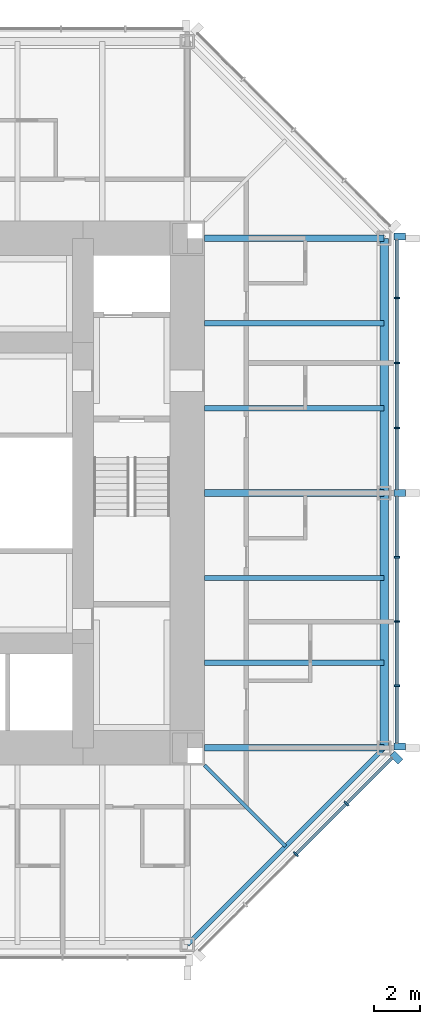
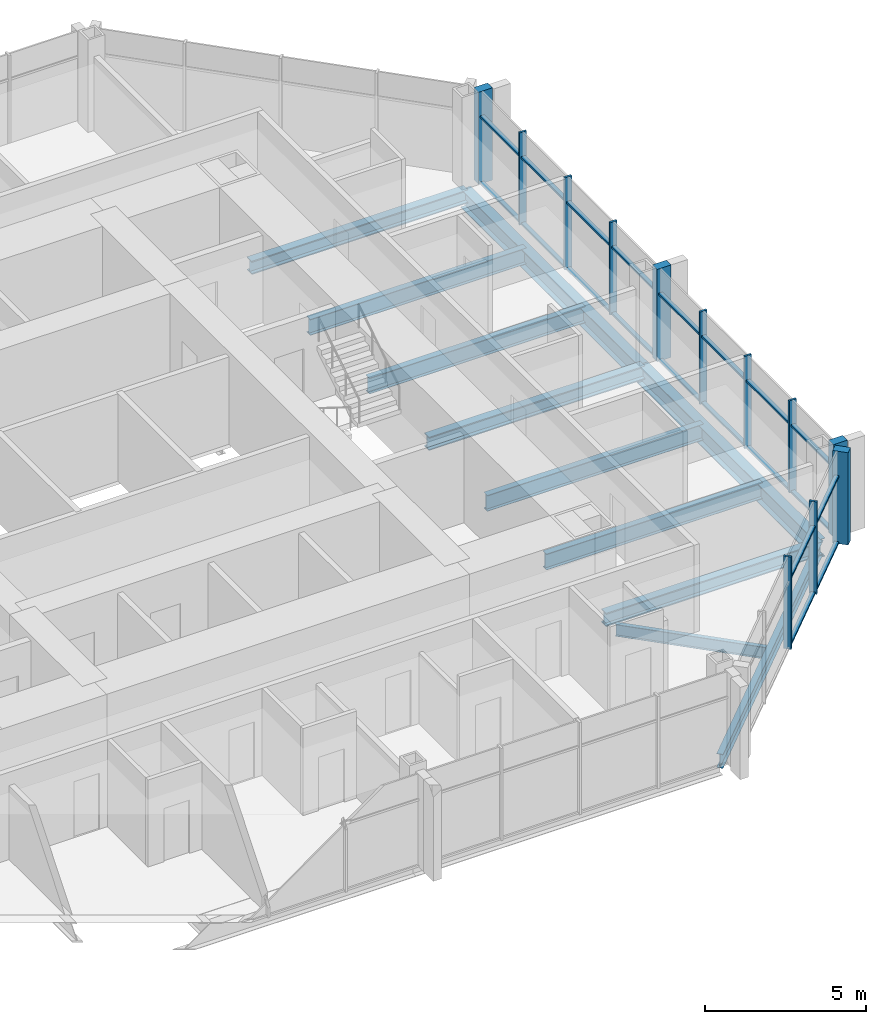
# One storey, part 4 of 12: 32 members, 11 beams, 2 elements without a shape of their own.
"""IFC4 building model written with IfcOpenShell, lengths in metres."""

from ifc_helpers import new_model, si_unit, direction, frame, origin, origin_2d, place, context, subcontext, project, spatial, rectangle, i_section, extrude, material, material_profile, profile_set, type_object, element, aggregate, save


model = new_model("IFC4")

# Units and contexts
model_context = context("Model", 3, precision=1e-05, world=origin(), true_north=direction((0.0, 1.0)))
body_context = subcontext(model_context, "Body", "Model", "MODEL_VIEW")
ifc_project = project(units=[si_unit("LENGTHUNIT", "METRE"), si_unit("AREAUNIT", "SQUARE_METRE"), si_unit("VOLUMEUNIT", "CUBIC_METRE"), si_unit("PLANEANGLEUNIT", "RADIAN"), si_unit("MASSUNIT", "GRAM", prefix="KILO")], contexts=[model_context])

# Site, building, storey
site_placement = place(None, origin())
site = spatial("IfcSite", under=ifc_project, at=site_placement, CompositionType="ELEMENT")
building_placement = place(site_placement, origin())
building = spatial("IfcBuilding", under=site, at=building_placement, Name="Trevanion Tower", CompositionType="ELEMENT")
storey_placement = place(building_placement, frame((0.0, 0.0, 208.199951171875)))
storey = spatial("IfcBuildingStorey", under=building, at=storey_placement, Name="L49", CompositionType="ELEMENT", Elevation=208.199951171875)

# Beams
ifc_material_1 = material(Name="Steel ASTM A992 Grade 50", Category="steel")
ifc_material_profile_1 = material_profile(ifc_material_1, i_section(OverallWidth=0.228271484375, OverallDepth=0.607177734375, WebThickness=0.01123046875, FlangeThickness=0.017333984375, at=origin_2d()), Name="W24X76")
ifc_profile_set_1 = profile_set([ifc_material_profile_1], Name="Steel ASTM A992 Grade 50")
beam_type_1 = type_object("IfcBeamType", Name="B11 W24X76", PredefinedType="BEAM", material=ifc_profile_set_1)
for number, where, z_axis, x_axis, name in (
    (1, (11.75, -7.333251953125, -0.493408203125), (1.0, 0.0, 0.0), (0.0, 1.0, 0.0), "B11 L49"),
    (2, (11.75, -3.666748046875, -0.493408203125), (1.0, 0.0, 0.0), (0.0, 1.0, 0.0), "B11 L49"),
    (3, (11.75, 3.666748046875, -0.493408203125), (1.0, 0.0, 0.0), (0.0, 1.0, 0.0), "B11 L49"),
    (4, (11.75, 7.333251953125, -0.493408203125), (1.0, 0.0, 0.0), (0.0, 1.0, 0.0), "B11 L49"),
):
    element("IfcBeam", number, at=place(storey_placement, frame(where, z_axis=z_axis, x_axis=x_axis)), inside=storey, type_object=beam_type_1, Name=name, PredefinedType="BEAM", context=body_context, shape_type="SweptSolid", body=[
        extrude(i_section(OverallWidth=0.228271484375, OverallDepth=0.607177734375, WebThickness=0.01123046875, FlangeThickness=0.017333984375, at=origin_2d()), origin(), (0.0, 0.0, 1.0), 7.75),
    ])
ifc_material_2 = material(Name="Steel ASTM A992 Grade 50", Category="steel")
ifc_material_profile_2 = material_profile(ifc_material_2, i_section(OverallWidth=0.15234375, OverallDepth=0.449462890625, WebThickness=0.007568359375, FlangeThickness=0.0107421875, at=origin_2d()), Name="W18X35")
ifc_profile_set_2 = profile_set([ifc_material_profile_2], Name="Steel ASTM A992 Grade 50")
beam_type_2 = type_object("IfcBeamType", Name="B12 W18X35", PredefinedType="BEAM", material=ifc_profile_set_2)
beam_1_placement = place(storey_placement, frame((11.75, -11.75, -0.414794921875), z_axis=(0.707106781187, -0.707106781187, 0.0), x_axis=(0.707106781187, 0.707106781187, 0.0)))
element("IfcBeam", 5, at=beam_1_placement, inside=storey, type_object=beam_type_2, Name="B12 L49", PredefinedType="BEAM", context=body_context, shape_type="SweptSolid", body=[
    extrude(i_section(OverallWidth=0.15234375, OverallDepth=0.449462890625, WebThickness=0.007568359375, FlangeThickness=0.0107421875, at=origin_2d()), origin(), (0.0, 0.0, 1.0), 4.94970703125),
])

# Curtain wall, members
ifc_material_3 = material(Name="Aluminium and glass", Category="aluminium")
curtain_wall_type = type_object("IfcCurtainWallType", Name="CW3 curtain wall", PredefinedType="USERDEFINED", material=ifc_material_3)
curtain_wall_1_placement = place(storey_placement, origin())
curtain_wall_1 = element("IfcCurtainWall", 6, at=curtain_wall_1_placement, inside=storey, type_object=curtain_wall_type, Name="CW3 L49 0", ObjectType="UNITISED CURTAIN WALL", PredefinedType="USERDEFINED")
ifc_material_4 = material(Name="Aluminium extrusion, anodised bronze", Category="aluminium")
ifc_material_profile_3 = material_profile(ifc_material_4, rectangle(XDim=0.074951171875, YDim=0.25, at=origin_2d()), Name="CW3 mullion")
ifc_profile_set_3 = profile_set([ifc_material_profile_3], Name="Aluminium extrusion, anodised bronze")
member_type_1 = type_object("IfcMemberType", Name="CW3 mullion", PredefinedType="MULLION", material=ifc_profile_set_3)
member_1_placement = place(storey_placement, frame((20.050048828125, -8.323486328125, -0.18994140625), z_axis=(0.0, 0.0, 1.0), x_axis=(0.0, 1.0, 0.0)))
member_1 = element("IfcMember", 7, at=member_1_placement, type_object=member_type_1, Name="CW3 mullion 2", PredefinedType="MULLION", context=body_context, shape_type="SweptSolid", body=[
    extrude(rectangle(XDim=0.074951171875, YDim=0.25, at=origin_2d()), origin(), (0.0, 0.0, 1.0), 3.5),
])
member_2_placement = place(storey_placement, frame((20.050048828125, -5.548828125, -0.18994140625), z_axis=(0.0, 0.0, 1.0), x_axis=(0.0, 1.0, 0.0)))
member_2 = element("IfcMember", 8, at=member_2_placement, type_object=member_type_1, Name="CW3 mullion 3", PredefinedType="MULLION", context=body_context, shape_type="SweptSolid", body=[
    extrude(rectangle(XDim=0.074951171875, YDim=0.25, at=origin_2d()), origin(), (0.0, 0.0, 1.0), 3.5),
])
member_3_placement = place(storey_placement, frame((20.050048828125, -2.7744140625, -0.18994140625), z_axis=(0.0, 0.0, 1.0), x_axis=(0.0, 1.0, 0.0)))
member_3 = element("IfcMember", 9, at=member_3_placement, type_object=member_type_1, Name="CW3 mullion 4", PredefinedType="MULLION", context=body_context, shape_type="SweptSolid", body=[
    extrude(rectangle(XDim=0.074951171875, YDim=0.25, at=origin_2d()), origin(), (0.0, 0.0, 1.0), 3.5),
])
member_4_placement = place(storey_placement, frame((20.050048828125, 2.806884765625, -0.18994140625), z_axis=(0.0, 0.0, 1.0), x_axis=(0.0, 1.0, 0.0)))
member_4 = element("IfcMember", 10, at=member_4_placement, type_object=member_type_1, Name="CW3 mullion 6", PredefinedType="MULLION", context=body_context, shape_type="SweptSolid", body=[
    extrude(rectangle(XDim=0.074951171875, YDim=0.25, at=origin_2d()), origin(), (0.0, 0.0, 1.0), 3.5),
])
member_5_placement = place(storey_placement, frame((20.050048828125, 5.614013671875, -0.18994140625), z_axis=(0.0, 0.0, 1.0), x_axis=(0.0, 1.0, 0.0)))
member_5 = element("IfcMember", 11, at=member_5_placement, type_object=member_type_1, Name="CW3 mullion 7", PredefinedType="MULLION", context=body_context, shape_type="SweptSolid", body=[
    extrude(rectangle(XDim=0.074951171875, YDim=0.25, at=origin_2d()), origin(), (0.0, 0.0, 1.0), 3.5),
])
member_6_placement = place(storey_placement, frame((20.050048828125, 8.4208984375, -0.18994140625), z_axis=(0.0, 0.0, 1.0), x_axis=(0.0, 1.0, 0.0)))
member_6 = element("IfcMember", 12, at=member_6_placement, type_object=member_type_1, Name="CW3 mullion 8", PredefinedType="MULLION", context=body_context, shape_type="SweptSolid", body=[
    extrude(rectangle(XDim=0.074951171875, YDim=0.25, at=origin_2d()), origin(), (0.0, 0.0, 1.0), 3.5),
])

curtain_wall_2_placement = place(storey_placement, origin())
curtain_wall_2 = element("IfcCurtainWall", 13, at=curtain_wall_2_placement, inside=storey, type_object=curtain_wall_type, Name="CW3 L49 7", ObjectType="UNITISED CURTAIN WALL", PredefinedType="USERDEFINED")
member_7_placement = place(storey_placement, frame((15.684814453125, -15.593017578125, -0.18994140625), z_axis=(0.0, 0.0, 1.0), x_axis=(0.707106781187, 0.707106781187, 0.0)))
member_7 = element("IfcMember", 14, at=member_7_placement, type_object=member_type_1, Name="CW3 mullion 3", PredefinedType="MULLION", context=body_context, shape_type="SweptSolid", body=[
    extrude(rectangle(XDim=0.074951171875, YDim=0.25, at=origin_2d()), origin(), (0.0, 0.0, 1.0), 3.5),
])
member_8_placement = place(storey_placement, frame((17.867431640625, -13.410400390625, -0.18994140625), z_axis=(0.0, 0.0, 1.0), x_axis=(0.707106781187, 0.707106781187, 0.0)))
member_8 = element("IfcMember", 15, at=member_8_placement, type_object=member_type_1, Name="CW3 mullion 4", PredefinedType="MULLION", context=body_context, shape_type="SweptSolid", body=[
    extrude(rectangle(XDim=0.074951171875, YDim=0.25, at=origin_2d()), origin(), (0.0, 0.0, 1.0), 3.5),
])

# Member
ifc_material_5 = material(Name="Aluminium extrusion, anodised bronze", Category="aluminium")
ifc_material_profile_4 = material_profile(ifc_material_5, rectangle(XDim=0.300048828125, YDim=0.5, at=origin_2d()), Name="CW3 pier mullion")
ifc_profile_set_4 = profile_set([ifc_material_profile_4], Name="Aluminium extrusion, anodised bronze")
member_type_2 = type_object("IfcMemberType", Name="CW3 pier mullion", PredefinedType="MULLION", material=ifc_profile_set_4)
member_9_placement = place(storey_placement, frame((20.175048828125, -10.94775390625, -0.18994140625), z_axis=(0.0, 0.0, 1.0), x_axis=(0.0, 1.0, 0.0)))
member_9 = element("IfcMember", 16, at=member_9_placement, type_object=member_type_2, Name="CW3 pier mullion 1", PredefinedType="MULLION", context=body_context, shape_type="SweptSolid", body=[
    extrude(rectangle(XDim=0.300048828125, YDim=0.5, at=origin_2d()), origin(), (0.0, 0.0, 1.0), 3.5),
])

member_10_placement = place(storey_placement, frame((20.175048828125, 0.0, -0.18994140625), z_axis=(0.0, 0.0, 1.0), x_axis=(0.0, 1.0, 0.0)))
member_10 = element("IfcMember", 17, at=member_10_placement, type_object=member_type_2, Name="CW3 pier mullion 5", PredefinedType="MULLION", context=body_context, shape_type="SweptSolid", body=[
    extrude(rectangle(XDim=0.300048828125, YDim=0.5, at=origin_2d()), origin(), (0.0, 0.0, 1.0), 3.5),
])

member_11_placement = place(storey_placement, frame((20.175048828125, 11.077880859375, -0.18994140625), z_axis=(0.0, 0.0, 1.0), x_axis=(0.0, 1.0, 0.0)))
member_11 = element("IfcMember", 18, at=member_11_placement, type_object=member_type_2, Name="CW3 pier mullion 9", PredefinedType="MULLION", context=body_context, shape_type="SweptSolid", body=[
    extrude(rectangle(XDim=0.300048828125, YDim=0.5, at=origin_2d()), origin(), (0.0, 0.0, 1.0), 3.5),
])

member_12_placement = place(storey_placement, frame((20.0322265625, -11.42236328125, -0.18994140625), z_axis=(0.0, 0.0, 1.0), x_axis=(0.707106781187, 0.707106781187, 0.0)))
member_12 = element("IfcMember", 19, at=member_12_placement, type_object=member_type_2, Name="CW3 pier mullion 5", PredefinedType="MULLION", context=body_context, shape_type="SweptSolid", body=[
    extrude(rectangle(XDim=0.300048828125, YDim=0.5, at=origin_2d()), origin(), (0.0, 0.0, 1.0), 3.5),
])

ifc_material_6 = material(Name="Aluminium extrusion, anodised bronze", Category="aluminium")
ifc_material_profile_5 = material_profile(ifc_material_6, rectangle(XDim=0.14990234375, YDim=0.074951171875, at=origin_2d()), Name="CW3 transom")
ifc_profile_set_5 = profile_set([ifc_material_profile_5], Name="Aluminium extrusion, anodised bronze")
member_type_3 = type_object("IfcMemberType", Name="CW3 transom", PredefinedType="USERDEFINED", material=ifc_profile_set_5)
member_13_placement = place(storey_placement, frame((20.050048828125, -10.7978515625, -0.15234375), z_axis=(0.0, 1.0, 0.0), x_axis=(-1.0, 0.0, 0.0)))
member_13 = element("IfcMember", 20, at=member_13_placement, type_object=member_type_3, Name="CW3 transom 1.1", ObjectType="TRANSOM", PredefinedType="USERDEFINED", context=body_context, shape_type="SweptSolid", body=[
    extrude(rectangle(XDim=0.14990234375, YDim=0.074951171875, at=origin_2d()), origin(), (0.0, 0.0, 1.0), 2.43701171875),
])

member_14_placement = place(storey_placement, frame((20.050048828125, -10.7978515625, 2.360107421875), z_axis=(0.0, 1.0, 0.0), x_axis=(-1.0, 0.0, 0.0)))
member_14 = element("IfcMember", 21, at=member_14_placement, type_object=member_type_3, Name="CW3 transom 1.2", ObjectType="TRANSOM", PredefinedType="USERDEFINED", context=body_context, shape_type="SweptSolid", body=[
    extrude(rectangle(XDim=0.14990234375, YDim=0.074951171875, at=origin_2d()), origin(), (0.0, 0.0, 1.0), 2.43701171875),
])

member_15_placement = place(storey_placement, frame((20.050048828125, -8.285888671875, -0.15234375), z_axis=(0.0, 1.0, 0.0), x_axis=(-1.0, 0.0, 0.0)))
member_15 = element("IfcMember", 22, at=member_15_placement, type_object=member_type_3, Name="CW3 transom 2.1", ObjectType="TRANSOM", PredefinedType="USERDEFINED", context=body_context, shape_type="SweptSolid", body=[
    extrude(rectangle(XDim=0.14990234375, YDim=0.074951171875, at=origin_2d()), origin(), (0.0, 0.0, 1.0), 2.699462890625),
])

member_16_placement = place(storey_placement, frame((20.050048828125, -8.285888671875, 2.360107421875), z_axis=(0.0, 1.0, 0.0), x_axis=(-1.0, 0.0, 0.0)))
member_16 = element("IfcMember", 23, at=member_16_placement, type_object=member_type_3, Name="CW3 transom 2.2", ObjectType="TRANSOM", PredefinedType="USERDEFINED", context=body_context, shape_type="SweptSolid", body=[
    extrude(rectangle(XDim=0.14990234375, YDim=0.074951171875, at=origin_2d()), origin(), (0.0, 0.0, 1.0), 2.699462890625),
])

member_17_placement = place(storey_placement, frame((20.050048828125, -5.511474609375, -0.15234375), z_axis=(0.0, 1.0, 0.0), x_axis=(-1.0, 0.0, 0.0)))
member_17 = element("IfcMember", 24, at=member_17_placement, type_object=member_type_3, Name="CW3 transom 3.1", ObjectType="TRANSOM", PredefinedType="USERDEFINED", context=body_context, shape_type="SweptSolid", body=[
    extrude(rectangle(XDim=0.14990234375, YDim=0.074951171875, at=origin_2d()), origin(), (0.0, 0.0, 1.0), 2.699462890625),
])

member_18_placement = place(storey_placement, frame((20.050048828125, -5.511474609375, 2.360107421875), z_axis=(0.0, 1.0, 0.0), x_axis=(-1.0, 0.0, 0.0)))
member_18 = element("IfcMember", 25, at=member_18_placement, type_object=member_type_3, Name="CW3 transom 3.2", ObjectType="TRANSOM", PredefinedType="USERDEFINED", context=body_context, shape_type="SweptSolid", body=[
    extrude(rectangle(XDim=0.14990234375, YDim=0.074951171875, at=origin_2d()), origin(), (0.0, 0.0, 1.0), 2.699462890625),
])

member_19_placement = place(storey_placement, frame((20.050048828125, -2.737060546875, -0.15234375), z_axis=(0.0, 1.0, 0.0), x_axis=(-1.0, 0.0, 0.0)))
member_19 = element("IfcMember", 26, at=member_19_placement, type_object=member_type_3, Name="CW3 transom 4.1", ObjectType="TRANSOM", PredefinedType="USERDEFINED", context=body_context, shape_type="SweptSolid", body=[
    extrude(rectangle(XDim=0.14990234375, YDim=0.074951171875, at=origin_2d()), origin(), (0.0, 0.0, 1.0), 2.587158203125),
])

member_20_placement = place(storey_placement, frame((20.050048828125, -2.737060546875, 2.360107421875), z_axis=(0.0, 1.0, 0.0), x_axis=(-1.0, 0.0, 0.0)))
member_20 = element("IfcMember", 27, at=member_20_placement, type_object=member_type_3, Name="CW3 transom 4.2", ObjectType="TRANSOM", PredefinedType="USERDEFINED", context=body_context, shape_type="SweptSolid", body=[
    extrude(rectangle(XDim=0.14990234375, YDim=0.074951171875, at=origin_2d()), origin(), (0.0, 0.0, 1.0), 2.587158203125),
])

member_21_placement = place(storey_placement, frame((20.050048828125, 0.14990234375, -0.15234375), z_axis=(0.0, 1.0, 0.0), x_axis=(-1.0, 0.0, 0.0)))
member_21 = element("IfcMember", 28, at=member_21_placement, type_object=member_type_3, Name="CW3 transom 5.1", ObjectType="TRANSOM", PredefinedType="USERDEFINED", context=body_context, shape_type="SweptSolid", body=[
    extrude(rectangle(XDim=0.14990234375, YDim=0.074951171875, at=origin_2d()), origin(), (0.0, 0.0, 1.0), 2.619384765625),
])

member_22_placement = place(storey_placement, frame((20.050048828125, 0.14990234375, 2.360107421875), z_axis=(0.0, 1.0, 0.0), x_axis=(-1.0, 0.0, 0.0)))
member_22 = element("IfcMember", 29, at=member_22_placement, type_object=member_type_3, Name="CW3 transom 5.2", ObjectType="TRANSOM", PredefinedType="USERDEFINED", context=body_context, shape_type="SweptSolid", body=[
    extrude(rectangle(XDim=0.14990234375, YDim=0.074951171875, at=origin_2d()), origin(), (0.0, 0.0, 1.0), 2.619384765625),
])

member_23_placement = place(storey_placement, frame((20.050048828125, 2.844482421875, -0.15234375), z_axis=(0.0, 1.0, 0.0), x_axis=(-1.0, 0.0, 0.0)))
member_23 = element("IfcMember", 30, at=member_23_placement, type_object=member_type_3, Name="CW3 transom 6.1", ObjectType="TRANSOM", PredefinedType="USERDEFINED", context=body_context, shape_type="SweptSolid", body=[
    extrude(rectangle(XDim=0.14990234375, YDim=0.074951171875, at=origin_2d()), origin(), (0.0, 0.0, 1.0), 2.73193359375),
])

member_24_placement = place(storey_placement, frame((20.050048828125, 2.844482421875, 2.360107421875), z_axis=(0.0, 1.0, 0.0), x_axis=(-1.0, 0.0, 0.0)))
member_24 = element("IfcMember", 31, at=member_24_placement, type_object=member_type_3, Name="CW3 transom 6.2", ObjectType="TRANSOM", PredefinedType="USERDEFINED", context=body_context, shape_type="SweptSolid", body=[
    extrude(rectangle(XDim=0.14990234375, YDim=0.074951171875, at=origin_2d()), origin(), (0.0, 0.0, 1.0), 2.73193359375),
])

member_25_placement = place(storey_placement, frame((20.050048828125, 5.6513671875, -0.15234375), z_axis=(0.0, 1.0, 0.0), x_axis=(-1.0, 0.0, 0.0)))
member_25 = element("IfcMember", 32, at=member_25_placement, type_object=member_type_3, Name="CW3 transom 7.1", ObjectType="TRANSOM", PredefinedType="USERDEFINED", context=body_context, shape_type="SweptSolid", body=[
    extrude(rectangle(XDim=0.14990234375, YDim=0.074951171875, at=origin_2d()), origin(), (0.0, 0.0, 1.0), 2.73193359375),
])

member_26_placement = place(storey_placement, frame((20.050048828125, 5.6513671875, 2.360107421875), z_axis=(0.0, 1.0, 0.0), x_axis=(-1.0, 0.0, 0.0)))
member_26 = element("IfcMember", 33, at=member_26_placement, type_object=member_type_3, Name="CW3 transom 7.2", ObjectType="TRANSOM", PredefinedType="USERDEFINED", context=body_context, shape_type="SweptSolid", body=[
    extrude(rectangle(XDim=0.14990234375, YDim=0.074951171875, at=origin_2d()), origin(), (0.0, 0.0, 1.0), 2.73193359375),
])

member_27_placement = place(storey_placement, frame((20.050048828125, 8.45849609375, -0.15234375), z_axis=(0.0, 1.0, 0.0), x_axis=(-1.0, 0.0, 0.0)))
member_27 = element("IfcMember", 34, at=member_27_placement, type_object=member_type_3, Name="CW3 transom 8.1", ObjectType="TRANSOM", PredefinedType="USERDEFINED", context=body_context, shape_type="SweptSolid", body=[
    extrude(rectangle(XDim=0.14990234375, YDim=0.074951171875, at=origin_2d()), origin(), (0.0, 0.0, 1.0), 2.46923828125),
])

member_28_placement = place(storey_placement, frame((20.050048828125, 8.45849609375, 2.360107421875), z_axis=(0.0, 1.0, 0.0), x_axis=(-1.0, 0.0, 0.0)))
member_28 = element("IfcMember", 35, at=member_28_placement, type_object=member_type_3, Name="CW3 transom 8.2", ObjectType="TRANSOM", PredefinedType="USERDEFINED", context=body_context, shape_type="SweptSolid", body=[
    extrude(rectangle(XDim=0.14990234375, YDim=0.074951171875, at=origin_2d()), origin(), (0.0, 0.0, 1.0), 2.46923828125),
])

aggregate(curtain_wall_1, [member_9, member_1, member_2, member_3, member_10, member_4, member_5, member_6, member_11, member_13, member_14, member_15, member_16, member_17, member_18, member_19, member_20, member_21, member_22, member_23, member_24, member_25, member_26, member_27, member_28])

member_29_placement = place(storey_placement, frame((15.71142578125, -15.56640625, -0.15234375), z_axis=(0.707106781187, 0.707106781187, 0.0), x_axis=(-0.707106781187, 0.707106781187, 0.0)))
member_29 = element("IfcMember", 36, at=member_29_placement, type_object=member_type_3, Name="CW3 transom 3.1", ObjectType="TRANSOM", PredefinedType="USERDEFINED", context=body_context, shape_type="SweptSolid", body=[
    extrude(rectangle(XDim=0.14990234375, YDim=0.074951171875, at=origin_2d()), origin(), (0.0, 0.0, 1.0), 3.011474609375),
])

member_30_placement = place(storey_placement, frame((15.71142578125, -15.56640625, 2.360107421875), z_axis=(0.707106781187, 0.707106781187, 0.0), x_axis=(-0.707106781187, 0.707106781187, 0.0)))
member_30 = element("IfcMember", 37, at=member_30_placement, type_object=member_type_3, Name="CW3 transom 3.2", ObjectType="TRANSOM", PredefinedType="USERDEFINED", context=body_context, shape_type="SweptSolid", body=[
    extrude(rectangle(XDim=0.14990234375, YDim=0.074951171875, at=origin_2d()), origin(), (0.0, 0.0, 1.0), 3.011474609375),
])

member_31_placement = place(storey_placement, frame((17.89404296875, -13.3837890625, -0.15234375), z_axis=(0.707106781187, 0.707106781187, 0.0), x_axis=(-0.707106781187, 0.707106781187, 0.0)))
member_31 = element("IfcMember", 38, at=member_31_placement, type_object=member_type_3, Name="CW3 transom 4.1", ObjectType="TRANSOM", PredefinedType="USERDEFINED", context=body_context, shape_type="SweptSolid", body=[
    extrude(rectangle(XDim=0.14990234375, YDim=0.074951171875, at=origin_2d()), origin(), (0.0, 0.0, 1.0), 2.7490234375),
])

member_32_placement = place(storey_placement, frame((17.89404296875, -13.3837890625, 2.360107421875), z_axis=(0.707106781187, 0.707106781187, 0.0), x_axis=(-0.707106781187, 0.707106781187, 0.0)))
member_32 = element("IfcMember", 39, at=member_32_placement, type_object=member_type_3, Name="CW3 transom 4.2", ObjectType="TRANSOM", PredefinedType="USERDEFINED", context=body_context, shape_type="SweptSolid", body=[
    extrude(rectangle(XDim=0.14990234375, YDim=0.074951171875, at=origin_2d()), origin(), (0.0, 0.0, 1.0), 2.7490234375),
])

aggregate(curtain_wall_2, [member_7, member_8, member_12, member_29, member_30, member_31, member_32])

# Beams
ifc_material_7 = material(Name="Steel ASTM A992 Grade 50", Category="steel")
ifc_material_profile_6 = material_profile(ifc_material_7, i_section(OverallWidth=0.28955078125, OverallDepth=0.508056640625, WebThickness=0.022705078125, FlangeThickness=0.040283203125, at=origin_2d()), Name="W18X175")
ifc_profile_set_6 = profile_set([ifc_material_profile_6], Name="Steel ASTM A992 Grade 50")
beam_type_3 = type_object("IfcBeamType", Name="G6 W18X175", PredefinedType="BEAM", material=ifc_profile_set_6)
for number, where, z_axis, x_axis, name in (
    (40, (11.75, -11.0, -0.44384765625), (1.0, 0.0, 0.0), (0.0, 1.0, 0.0), "G6 L49"),
    (41, (11.75, 0.0, -0.44384765625), (1.0, 0.0, 0.0), (0.0, 1.0, 0.0), "G6 L49"),
    (42, (11.75, 11.0, -0.44384765625), (1.0, 0.0, 0.0), (0.0, 1.0, 0.0), "G6 L49"),
):
    element("IfcBeam", number, at=place(storey_placement, frame(where, z_axis=z_axis, x_axis=x_axis)), inside=storey, type_object=beam_type_3, Name=name, PredefinedType="BEAM", context=body_context, shape_type="SweptSolid", body=[
        extrude(i_section(OverallWidth=0.28955078125, OverallDepth=0.508056640625, WebThickness=0.022705078125, FlangeThickness=0.040283203125, at=origin_2d()), origin(), (0.0, 0.0, 1.0), 7.75),
    ])
ifc_material_8 = material(Name="Steel ASTM A992 Grade 50", Category="steel")
ifc_material_profile_7 = material_profile(ifc_material_8, i_section(OverallWidth=0.355712890625, OverallDepth=0.696044921875, WebThickness=0.015380859375, FlangeThickness=0.024658203125, at=origin_2d()), Name="W27X146")
ifc_profile_set_7 = profile_set([ifc_material_profile_7], Name="Steel ASTM A992 Grade 50")
beam_type_4 = type_object("IfcBeamType", Name="SB8 W27X146", PredefinedType="SPANDREL", material=ifc_profile_set_7)
for number, where, z_axis, x_axis, name in (
    (43, (19.5, -11.0, -0.537841796875), (0.0, 1.0, 0.0), (-1.0, 0.0, 0.0), "SB8 L49"),
    (44, (19.5, 0.0, -0.537841796875), (0.0, 1.0, 0.0), (-1.0, 0.0, 0.0), "SB8 L49"),
):
    element("IfcBeam", number, at=place(storey_placement, frame(where, z_axis=z_axis, x_axis=x_axis)), inside=storey, type_object=beam_type_4, Name=name, PredefinedType="SPANDREL", context=body_context, shape_type="SweptSolid", body=[
        extrude(i_section(OverallWidth=0.355712890625, OverallDepth=0.696044921875, WebThickness=0.015380859375, FlangeThickness=0.024658203125, at=origin_2d()), origin(), (0.0, 0.0, 1.0), 11.0),
    ])
ifc_material_9 = material(Name="Steel ASTM A992 Grade 50", Category="steel")
ifc_material_profile_8 = material_profile(ifc_material_9, i_section(OverallWidth=0.209228515625, OverallDepth=0.533447265625, WebThickness=0.01025390625, FlangeThickness=0.015625, at=origin_2d()), Name="W21X62")
ifc_profile_set_8 = profile_set([ifc_material_profile_8], Name="Steel ASTM A992 Grade 50")
beam_type_5 = type_object("IfcBeamType", Name="SB9 W21X62", PredefinedType="SPANDREL", material=ifc_profile_set_8)
beam_2_placement = place(storey_placement, frame((11.0, -19.5, -0.45654296875), z_axis=(0.707106781187, 0.707106781187, 0.0), x_axis=(-0.707106781187, 0.707106781187, 0.0)))
element("IfcBeam", 45, at=beam_2_placement, inside=storey, type_object=beam_type_5, Name="SB9 L49", PredefinedType="SPANDREL", context=body_context, shape_type="SweptSolid", body=[
    extrude(i_section(OverallWidth=0.209228515625, OverallDepth=0.533447265625, WebThickness=0.01025390625, FlangeThickness=0.015625, at=origin_2d()), origin(), (0.0, 0.0, 1.0), 12.020751953125),
])

save(model, "model.ifc")
